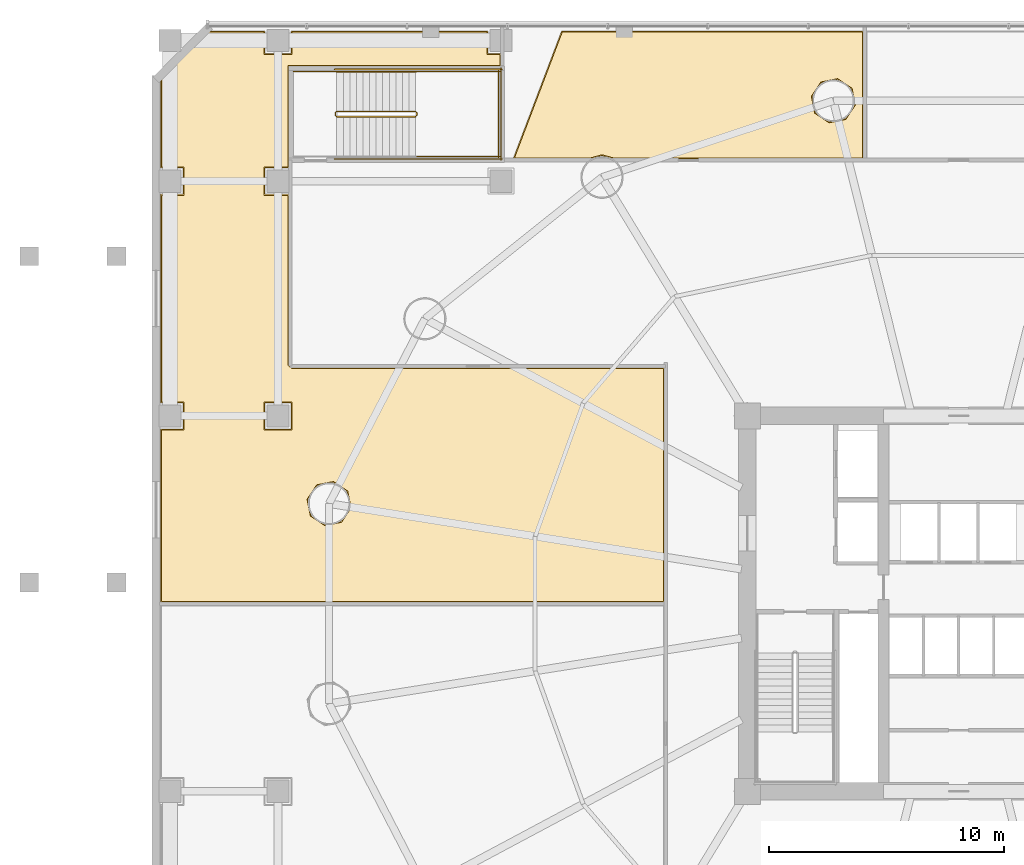
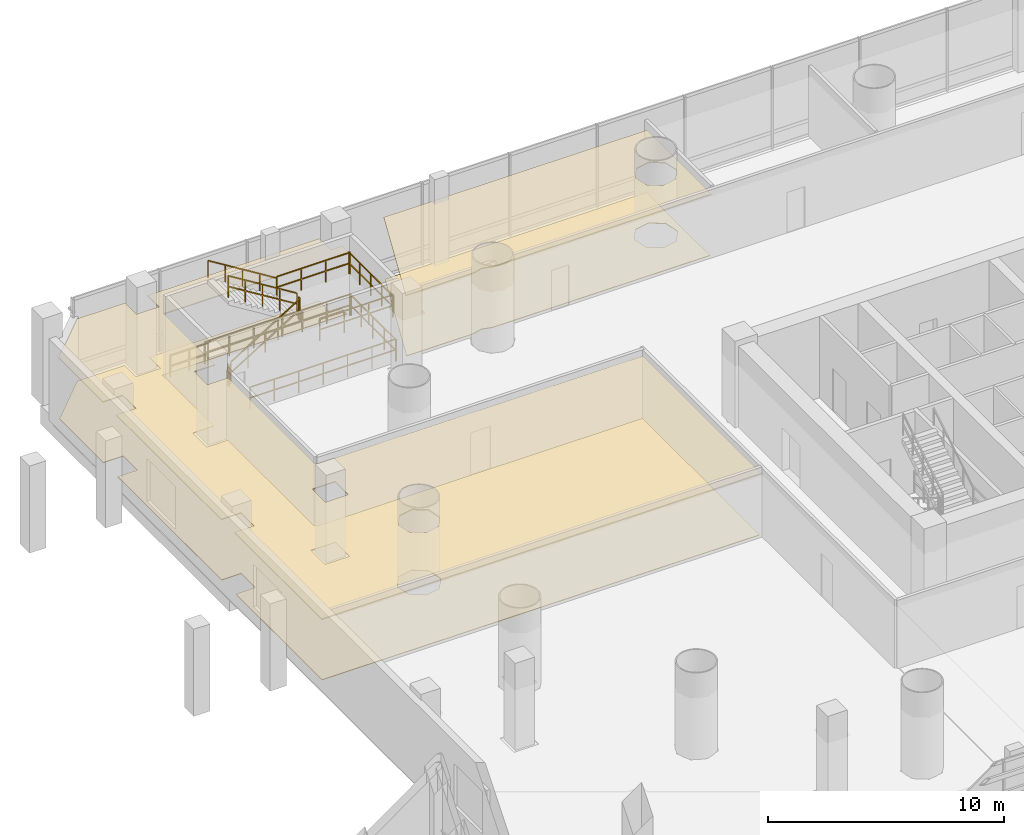
# One storey, part 31 of 36: 12 railings, 4 coverings.
"""IFC4 building model written with IfcOpenShell, lengths in metres."""

from ifc_helpers import new_model, si_unit, direction, frame, origin, origin_2d, place, context, subcontext, project, spatial, polyline, rectangle, outline, extrude, material, layer, layer_set, type_object, element, save


model = new_model("IFC4")

# Units and contexts
model_context = context("Model", 3, precision=1e-05, world=origin(), true_north=direction((-0.2419218956, 0.970295726276)))
body_context = subcontext(model_context, "Body", "Model", "MODEL_VIEW")
ifc_project = project(units=[si_unit("LENGTHUNIT", "METRE"), si_unit("AREAUNIT", "SQUARE_METRE"), si_unit("VOLUMEUNIT", "CUBIC_METRE"), si_unit("PLANEANGLEUNIT", "RADIAN"), si_unit("MASSUNIT", "GRAM", prefix="KILO")], contexts=[model_context])

# Site, building, storey
site_placement = place(None, origin())
site = spatial("IfcSite", under=ifc_project, at=site_placement, CompositionType="ELEMENT")
building_placement = place(site_placement, origin())
building = spatial("IfcBuilding", under=site, at=building_placement, Name="Cobrevalo Terracotta Tower", CompositionType="ELEMENT")
storey_placement = place(building_placement, frame((0.0, 0.0, 5.39990234375)))
storey = spatial("IfcBuildingStorey", under=building, at=storey_placement, Name="L01", CompositionType="ELEMENT", Elevation=5.39990234375)

# Coverings
ifc_material_1 = material(Name="Honed terracotta and granite tile", Category="masonry")
ifc_layer_1 = layer(ifc_material_1, 0.034912109375)
ifc_layer_set_1 = layer_set([ifc_layer_1], Name="Honed terracotta and granite tile")
covering_type_1 = type_object("IfcCoveringType", Name="Honed Terracotta & Granite Interior Flooring 35", PredefinedType="FLOORING", material=ifc_layer_set_1)
covering_1_placement = place(storey_placement, origin())
element("IfcCovering", 1, at=covering_1_placement, inside=storey, type_object=covering_type_1, Name="L01 Coastal Brasserie Dining floor finish", PredefinedType="FLOORING", context=body_context, shape_type="SweptSolid", body=[
    extrude(outline(polyline([(6.078369140625, 51.159912109375), (8.39990234375, 51.159912109375), (8.39990234375, 50.199951171875), (9.60009765625, 50.199951171875), (9.60009765625, 51.159912109375), (17.89990234375, 51.159912109375), (17.89990234375, 50.199951171875), (18.449951171875, 50.199951171875), (18.449951171875, 49.739990234375), (9.429931640625, 49.739990234375), (9.420166015625, 45.39990234375), (8.39990234375, 45.39990234375), (8.39990234375, 44.199951171875), (9.421142578125, 44.199951171875), (9.427001953125, 36.947509765625), (9.5986328125, 36.820068359375), (25.419921875, 36.820068359375), (25.419921875, 26.89990234375), (4.0400390625, 26.89990234375), (4.0400390625, 34.199951171875), (5.0, 34.199951171875), (5.0, 35.39990234375), (4.0400390625, 35.39990234375), (4.0400390625, 44.199951171875), (5.0, 44.199951171875), (5.0, 45.39990234375), (4.0400390625, 45.39990234375), (4.0400390625, 49.121826171875), (6.078369140625, 51.159912109375)]), holes=[polyline([(11.708984375, 30.264404296875), (12.1171875, 30.87548828125), (11.973876953125, 31.59619140625), (11.36279296875, 32.00439453125), (10.64208984375, 31.861083984375), (10.23388671875, 31.25), (10.377197265625, 30.529296875), (10.98828125, 30.12109375), (11.708984375, 30.264404296875)]), polyline([(8.39990234375, 35.39990234375), (8.39990234375, 34.199951171875), (9.60009765625, 34.199951171875), (9.60009765625, 35.39990234375), (8.39990234375, 35.39990234375)])]), origin(), (0.0, 0.0, 1.0), 0.030029296875),
])
covering_2_placement = place(storey_placement, origin())
element("IfcCovering", 2, at=covering_2_placement, inside=storey, type_object=covering_type_1, Name="L01 Public Restrooms floor finish", PredefinedType="FLOORING", context=body_context, shape_type="SweptSolid", body=[
    extrude(outline(polyline([(33.89990234375, 45.800048828125), (23.274658203125, 45.800048828125), (22.80517578125, 45.927734375), (22.33544921875, 45.800048828125), (19.0791015625, 45.800048828125), (21.11376953125, 51.159912109375), (33.89990234375, 51.159912109375), (33.89990234375, 45.800048828125)]), holes=[polyline([(33.19775390625, 47.431884765625), (33.60595703125, 48.04296875), (33.462646484375, 48.763671875), (32.8515625, 49.171875), (32.130859375, 49.028564453125), (31.72265625, 48.41748046875), (31.865966796875, 47.69677734375), (32.47705078125, 47.28857421875), (33.19775390625, 47.431884765625)])]), origin(), (0.0, 0.0, 1.0), 0.030029296875),
])
ifc_material_2 = material(Name="Moisture-resistant mineral fibre ceiling", Category="gypsum")
ifc_layer_2 = layer(ifc_material_2, 0.0400390625)
ifc_layer_set_2 = layer_set([ifc_layer_2], Name="Moisture-resistant mineral fibre ceiling")
covering_type_2 = type_object("IfcCoveringType", Name="Moisture-Resistant Wet-Room Ceiling 40", PredefinedType="CEILING", material=ifc_layer_set_2)
covering_3_placement = place(storey_placement, frame((0.0, 0.0, 3.16015625)))
element("IfcCovering", 3, at=covering_3_placement, inside=storey, type_object=covering_type_2, Name="L01 Public Restrooms acoustic ceiling", PredefinedType="CEILING", context=body_context, shape_type="SweptSolid", body=[
    extrude(outline(polyline([(33.945068359375, 45.7548828125), (23.263427734375, 45.7548828125), (22.80517578125, 45.882568359375), (22.346923828125, 45.7548828125), (19.013671875, 45.7548828125), (21.082763671875, 51.205078125), (33.945068359375, 51.205078125), (33.945068359375, 45.7548828125)]), holes=[polyline([(33.172607421875, 47.469482421875), (33.5615234375, 48.0517578125), (33.425048828125, 48.738525390625), (32.8427734375, 49.12744140625), (32.156005859375, 48.990966796875), (31.76708984375, 48.40869140625), (31.903564453125, 47.721923828125), (32.48583984375, 47.332763671875), (33.172607421875, 47.469482421875)])]), origin(), (0.0, 0.0, 1.0), 0.050048828125),
])
ifc_material_3 = material(Name="Acoustic perforated gypsum ceiling", Category="gypsum")
ifc_layer_3 = layer(ifc_material_3, 0.050048828125)
ifc_layer_set_3 = layer_set([ifc_layer_3], Name="Acoustic perforated gypsum ceiling")
covering_type_3 = type_object("IfcCoveringType", Name="Perforated Acoustic Gypsum Ceiling 50", PredefinedType="CEILING", material=ifc_layer_set_3)
covering_4_placement = place(storey_placement, frame((0.0, 0.0, 3.16015625)))
element("IfcCovering", 4, at=covering_4_placement, inside=storey, type_object=covering_type_3, Name="L01 Coastal Brasserie Dining acoustic ceiling", PredefinedType="CEILING", context=body_context, shape_type="SweptSolid", body=[
    extrude(outline(polyline([(6.0595703125, 51.205078125), (8.445068359375, 51.205078125), (8.445068359375, 50.2451171875), (9.554931640625, 50.2451171875), (9.554931640625, 51.205078125), (17.945068359375, 51.205078125), (17.945068359375, 50.2451171875), (18.4951171875, 50.2451171875), (18.4951171875, 49.695068359375), (9.47509765625, 49.695068359375), (9.46533203125, 45.35498046875), (8.445068359375, 45.35498046875), (8.445068359375, 44.2451171875), (9.466064453125, 44.2451171875), (9.471923828125, 36.961181640625), (9.601806640625, 36.864990234375), (25.465087890625, 36.864990234375), (25.465087890625, 26.85498046875), (3.9951171875, 26.85498046875), (3.9951171875, 34.2451171875), (4.955078125, 34.2451171875), (4.955078125, 35.35498046875), (3.9951171875, 35.35498046875), (3.9951171875, 44.2451171875), (4.955078125, 44.2451171875), (4.955078125, 45.35498046875), (3.9951171875, 45.35498046875), (3.9951171875, 49.140380859375), (6.0595703125, 51.205078125)]), holes=[polyline([(11.683837890625, 30.302001953125), (12.07275390625, 30.88427734375), (11.936279296875, 31.571044921875), (11.35400390625, 31.9599609375), (10.667236328125, 31.823486328125), (10.2783203125, 31.2412109375), (10.414794921875, 30.554443359375), (10.9970703125, 30.16552734375), (11.683837890625, 30.302001953125)]), polyline([(8.445068359375, 35.35498046875), (8.445068359375, 34.2451171875), (9.554931640625, 34.2451171875), (9.554931640625, 35.35498046875), (8.445068359375, 35.35498046875)])]), origin(), (0.0, 0.0, 1.0), 0.050048828125),
])

# Railings
ifc_material_4 = material(Name="Brushed stainless steel", Category="steel")
railing_type_1 = type_object("IfcRailingType", Name="Stainless Steel Stair Handrail 900", PredefinedType="HANDRAIL", material=ifc_material_4)
railing_1_placement = place(storey_placement, frame((14.860107421875, 49.469970703125, 2.423095703125)))
element("IfcRailing", 5, at=railing_1_placement, inside=storey, type_object=railing_type_1, Name="L01 ST-P1 stair handrail 2", PredefinedType="HANDRAIL", context=body_context, shape_type="SweptSolid", body=[
    extrude(rectangle(XDim=0.048095703125, YDim=0.048095703125, at=origin_2d()), frame((0.0, 0.0, 0.8759765625), z_axis=(-0.850623216509, 0.0, 0.525775754039), x_axis=(0.0, -1.0, 0.0)), (0.0, 0.0, 1.0), 3.9501953125),
    extrude(rectangle(XDim=0.0419921875, YDim=0.0419921875, at=origin_2d()), origin(), (0.0, 0.0, 1.0), 0.851806640625),
    extrude(rectangle(XDim=0.0419921875, YDim=0.0419921875, at=origin_2d()), frame((-0.840087890625, 0.0, 0.519287109375)), (0.0, 0.0, 1.0), 0.851806640625),
    extrude(rectangle(XDim=0.0419921875, YDim=0.0419921875, at=origin_2d()), frame((-1.68017578125, 0.0, 1.03857421875)), (0.0, 0.0, 1.0), 0.851806640625),
    extrude(rectangle(XDim=0.0419921875, YDim=0.0419921875, at=origin_2d()), frame((-2.52001953125, 0.0, 1.5576171875)), (0.0, 0.0, 1.0), 0.851806640625),
    extrude(rectangle(XDim=0.0419921875, YDim=0.0419921875, at=origin_2d()), frame((-3.360107421875, 0.0, 2.076904296875)), (0.0, 0.0, 1.0), 0.851806640625),
])
ifc_material_5 = material(Name="Painted galvanized steel", Category="steel")
railing_type_2 = type_object("IfcRailingType", Name="Stair Well Guard Balustrade 1150", PredefinedType="GUARDRAIL", material=ifc_material_5)
railing_2_placement = place(storey_placement, frame((11.5, 47.550048828125, 0.173095703125)))
element("IfcRailing", 6, at=railing_2_placement, inside=storey, type_object=railing_type_2, Name="L01 ST-P1 stair guard 1", PredefinedType="GUARDRAIL", context=body_context, shape_type="SweptSolid", body=[
    extrude(rectangle(XDim=0.048095703125, YDim=0.048095703125, at=origin_2d()), frame((0.0, 0.0, 1.1259765625), z_axis=(0.850623216509, 0.0, 0.525775754039), x_axis=(0.0, 1.0, 0.0)), (0.0, 0.0, 1.0), 3.9501953125),
    extrude(rectangle(XDim=0.048095703125, YDim=0.048095703125, at=origin_2d()), frame((0.0, 0.0, 0.574951171875), z_axis=(0.850623216509, 0.0, 0.525775754039), x_axis=(0.0, 1.0, 0.0)), (0.0, 0.0, 1.0), 3.9501953125),
    extrude(rectangle(XDim=0.0419921875, YDim=0.0419921875, at=origin_2d()), origin(), (0.0, 0.0, 1.0), 1.101806640625),
    extrude(rectangle(XDim=0.0419921875, YDim=0.0419921875, at=origin_2d()), frame((0.840087890625, 0.0, 0.519287109375)), (0.0, 0.0, 1.0), 1.101806640625),
    extrude(rectangle(XDim=0.0419921875, YDim=0.0419921875, at=origin_2d()), frame((1.68017578125, 0.0, 1.03857421875)), (0.0, 0.0, 1.0), 1.101806640625),
    extrude(rectangle(XDim=0.0419921875, YDim=0.0419921875, at=origin_2d()), frame((2.52001953125, 0.0, 1.5576171875)), (0.0, 0.0, 1.0), 1.101806640625),
    extrude(rectangle(XDim=0.0419921875, YDim=0.0419921875, at=origin_2d()), frame((3.360107421875, 0.0, 2.076904296875)), (0.0, 0.0, 1.0), 1.101806640625),
])
railing_3_placement = place(storey_placement, frame((14.909912109375, 47.60009765625, 2.25)))
element("IfcRailing", 7, at=railing_3_placement, inside=storey, type_object=railing_type_2, Name="L01 ST-P1 stair guard 2", PredefinedType="GUARDRAIL", context=body_context, shape_type="SweptSolid", body=[
    extrude(rectangle(XDim=0.048095703125, YDim=0.048095703125, at=origin_2d()), frame((0.0, 0.0, 1.1259765625), z_axis=(0.0, 1.0, 0.0), x_axis=(-1.0, 0.0, 0.0)), (0.0, 0.0, 1.0), 0.119873046875),
    extrude(rectangle(XDim=0.048095703125, YDim=0.048095703125, at=origin_2d()), frame((0.0, 0.0, 0.574951171875), z_axis=(0.0, 1.0, 0.0), x_axis=(-1.0, 0.0, 0.0)), (0.0, 0.0, 1.0), 0.119873046875),
    extrude(rectangle(XDim=0.0419921875, YDim=0.0419921875, at=origin_2d()), origin(), (0.0, 0.0, 1.0), 1.101806640625),
    extrude(rectangle(XDim=0.0419921875, YDim=0.0419921875, at=origin_2d()), frame((0.0, 0.119873046875, 0.0)), (0.0, 0.0, 1.0), 1.101806640625),
])
for number, where, name in (
    (8, (14.860107421875, 45.85009765625, 2.25), "L01 ST-P1 stair guard 3"),
    (9, (14.860107421875, 49.469970703125, 2.25), "L01 ST-P1 stair guard 4"),
):
    element("IfcRailing", number, at=place(storey_placement, frame(where)), inside=storey, type_object=railing_type_2, Name=name, PredefinedType="GUARDRAIL", context=body_context, shape_type="SweptSolid", body=[
        extrude(rectangle(XDim=0.048095703125, YDim=0.048095703125, at=origin_2d()), frame((0.0, 0.0, 1.1259765625), z_axis=(1.0, 0.0, 0.0), x_axis=(0.0, 1.0, 0.0)), (0.0, 0.0, 1.0), 3.58984375),
        extrude(rectangle(XDim=0.048095703125, YDim=0.048095703125, at=origin_2d()), frame((0.0, 0.0, 0.574951171875), z_axis=(1.0, 0.0, 0.0), x_axis=(0.0, 1.0, 0.0)), (0.0, 0.0, 1.0), 3.58984375),
        extrude(rectangle(XDim=0.0419921875, YDim=0.0419921875, at=origin_2d()), origin(), (0.0, 0.0, 1.0), 1.101806640625),
        extrude(rectangle(XDim=0.0419921875, YDim=0.0419921875, at=origin_2d()), frame((1.196533203125, 0.0, 0.0)), (0.0, 0.0, 1.0), 1.101806640625),
        extrude(rectangle(XDim=0.0419921875, YDim=0.0419921875, at=origin_2d()), frame((2.393310546875, 0.0, 0.0)), (0.0, 0.0, 1.0), 1.101806640625),
        extrude(rectangle(XDim=0.0419921875, YDim=0.0419921875, at=origin_2d()), frame((3.58984375, 0.0, 0.0)), (0.0, 0.0, 1.0), 1.101806640625),
    ])
railing_4_placement = place(storey_placement, frame((18.39990234375, 45.800048828125, 2.25)))
element("IfcRailing", 10, at=railing_4_placement, inside=storey, type_object=railing_type_2, Name="L01 ST-P1 stair guard 5", PredefinedType="GUARDRAIL", context=body_context, shape_type="SweptSolid", body=[
    extrude(rectangle(XDim=0.048095703125, YDim=0.048095703125, at=origin_2d()), frame((0.0, 0.0, 1.1259765625), z_axis=(0.0, 1.0, 0.0), x_axis=(-1.0, 0.0, 0.0)), (0.0, 0.0, 1.0), 3.719970703125),
    extrude(rectangle(XDim=0.048095703125, YDim=0.048095703125, at=origin_2d()), frame((0.0, 0.0, 0.574951171875), z_axis=(0.0, 1.0, 0.0), x_axis=(-1.0, 0.0, 0.0)), (0.0, 0.0, 1.0), 3.719970703125),
    extrude(rectangle(XDim=0.0419921875, YDim=0.0419921875, at=origin_2d()), origin(), (0.0, 0.0, 1.0), 1.101806640625),
    extrude(rectangle(XDim=0.0419921875, YDim=0.0419921875, at=origin_2d()), frame((0.0, 0.929931640625, 0.0)), (0.0, 0.0, 1.0), 1.101806640625),
    extrude(rectangle(XDim=0.0419921875, YDim=0.0419921875, at=origin_2d()), frame((0.0, 1.85986328125, 0.0)), (0.0, 0.0, 1.0), 1.101806640625),
    extrude(rectangle(XDim=0.0419921875, YDim=0.0419921875, at=origin_2d()), frame((0.0, 2.7900390625, 0.0)), (0.0, 0.0, 1.0), 1.101806640625),
    extrude(rectangle(XDim=0.0419921875, YDim=0.0419921875, at=origin_2d()), frame((0.0, 3.719970703125, 0.0)), (0.0, 0.0, 1.0), 1.101806640625),
])
railing_5_placement = place(storey_placement, frame((14.860107421875, 47.77001953125, 2.423095703125)))
element("IfcRailing", 11, at=railing_5_placement, inside=storey, type_object=railing_type_2, Name="L01 ST-P1 stair guard 6", PredefinedType="GUARDRAIL", context=body_context, shape_type="SweptSolid", body=[
    extrude(rectangle(XDim=0.048095703125, YDim=0.048095703125, at=origin_2d()), frame((0.0, 0.0, 1.1259765625), z_axis=(-0.850623216509, 0.0, 0.525775754039), x_axis=(0.0, -1.0, 0.0)), (0.0, 0.0, 1.0), 3.9501953125),
    extrude(rectangle(XDim=0.048095703125, YDim=0.048095703125, at=origin_2d()), frame((0.0, 0.0, 0.574951171875), z_axis=(-0.850623216509, 0.0, 0.525775754039), x_axis=(0.0, -1.0, 0.0)), (0.0, 0.0, 1.0), 3.9501953125),
    extrude(rectangle(XDim=0.0419921875, YDim=0.0419921875, at=origin_2d()), origin(), (0.0, 0.0, 1.0), 1.101806640625),
    extrude(rectangle(XDim=0.0419921875, YDim=0.0419921875, at=origin_2d()), frame((-0.840087890625, 0.0, 0.519287109375)), (0.0, 0.0, 1.0), 1.101806640625),
    extrude(rectangle(XDim=0.0419921875, YDim=0.0419921875, at=origin_2d()), frame((-1.68017578125, 0.0, 1.03857421875)), (0.0, 0.0, 1.0), 1.101806640625),
    extrude(rectangle(XDim=0.0419921875, YDim=0.0419921875, at=origin_2d()), frame((-2.52001953125, 0.0, 1.5576171875)), (0.0, 0.0, 1.0), 1.101806640625),
    extrude(rectangle(XDim=0.0419921875, YDim=0.0419921875, at=origin_2d()), frame((-3.360107421875, 0.0, 2.076904296875)), (0.0, 0.0, 1.0), 1.101806640625),
])
railing_6_placement = place(storey_placement, frame((11.449951171875, 47.60009765625, 0.0)))
element("IfcRailing", 12, at=railing_6_placement, inside=storey, type_object=railing_type_2, Name="L01 ST-P1 stair guard 7", PredefinedType="GUARDRAIL", context=body_context, shape_type="SweptSolid", body=[
    extrude(rectangle(XDim=0.048095703125, YDim=0.048095703125, at=origin_2d()), frame((0.0, 0.0, 1.1259765625), z_axis=(0.0, 1.0, 0.0), x_axis=(-1.0, 0.0, 0.0)), (0.0, 0.0, 1.0), 0.119873046875),
    extrude(rectangle(XDim=0.048095703125, YDim=0.048095703125, at=origin_2d()), frame((0.0, 0.0, 0.574951171875), z_axis=(0.0, 1.0, 0.0), x_axis=(-1.0, 0.0, 0.0)), (0.0, 0.0, 1.0), 0.119873046875),
    extrude(rectangle(XDim=0.0419921875, YDim=0.0419921875, at=origin_2d()), origin(), (0.0, 0.0, 1.0), 1.101806640625),
    extrude(rectangle(XDim=0.0419921875, YDim=0.0419921875, at=origin_2d()), frame((0.0, 0.119873046875, 0.0)), (0.0, 0.0, 1.0), 1.101806640625),
])
railing_7_placement = place(storey_placement, frame((9.64990234375, 49.469970703125, 0.0)))
element("IfcRailing", 13, at=railing_7_placement, inside=storey, type_object=railing_type_2, Name="L01 ST-P1 stair guard 9", PredefinedType="GUARDRAIL", context=body_context, shape_type="SweptSolid", body=[
    extrude(rectangle(XDim=0.048095703125, YDim=0.048095703125, at=origin_2d()), frame((0.0, 0.0, 1.1259765625), z_axis=(1.0, 0.0, 0.0), x_axis=(0.0, 1.0, 0.0)), (0.0, 0.0, 1.0), 1.85009765625),
    extrude(rectangle(XDim=0.048095703125, YDim=0.048095703125, at=origin_2d()), frame((0.0, 0.0, 0.574951171875), z_axis=(1.0, 0.0, 0.0), x_axis=(0.0, 1.0, 0.0)), (0.0, 0.0, 1.0), 1.85009765625),
    extrude(rectangle(XDim=0.0419921875, YDim=0.0419921875, at=origin_2d()), origin(), (0.0, 0.0, 1.0), 1.101806640625),
    extrude(rectangle(XDim=0.0419921875, YDim=0.0419921875, at=origin_2d()), frame((0.925048828125, 0.0, 0.0)), (0.0, 0.0, 1.0), 1.101806640625),
    extrude(rectangle(XDim=0.0419921875, YDim=0.0419921875, at=origin_2d()), frame((1.85009765625, 0.0, 0.0)), (0.0, 0.0, 1.0), 1.101806640625),
])
for number, where, name in (
    (14, (11.39990234375, 45.75, 0.0), "L01 ST-P1 stair guard 10"),
    (15, (11.39990234375, 49.570068359375, 0.0), "L01 ST-P1 stair guard 11"),
):
    element("IfcRailing", number, at=place(storey_placement, frame(where)), inside=storey, type_object=railing_type_2, Name=name, PredefinedType="GUARDRAIL", context=body_context, shape_type="SweptSolid", body=[
        extrude(rectangle(XDim=0.048095703125, YDim=0.048095703125, at=origin_2d()), frame((0.0, 0.0, 1.1259765625), z_axis=(1.0, 0.0, 0.0), x_axis=(0.0, 1.0, 0.0)), (0.0, 0.0, 1.0), 7.150146484375),
        extrude(rectangle(XDim=0.048095703125, YDim=0.048095703125, at=origin_2d()), frame((0.0, 0.0, 0.574951171875), z_axis=(1.0, 0.0, 0.0), x_axis=(0.0, 1.0, 0.0)), (0.0, 0.0, 1.0), 7.150146484375),
        extrude(rectangle(XDim=0.0419921875, YDim=0.0419921875, at=origin_2d()), origin(), (0.0, 0.0, 1.0), 1.101806640625),
        extrude(rectangle(XDim=0.0419921875, YDim=0.0419921875, at=origin_2d()), frame((1.191650390625, 0.0, 0.0)), (0.0, 0.0, 1.0), 1.101806640625),
        extrude(rectangle(XDim=0.0419921875, YDim=0.0419921875, at=origin_2d()), frame((2.38330078125, 0.0, 0.0)), (0.0, 0.0, 1.0), 1.101806640625),
        extrude(rectangle(XDim=0.0419921875, YDim=0.0419921875, at=origin_2d()), frame((3.5751953125, 0.0, 0.0)), (0.0, 0.0, 1.0), 1.101806640625),
        extrude(rectangle(XDim=0.0419921875, YDim=0.0419921875, at=origin_2d()), frame((4.766845703125, 0.0, 0.0)), (0.0, 0.0, 1.0), 1.101806640625),
        extrude(rectangle(XDim=0.0419921875, YDim=0.0419921875, at=origin_2d()), frame((5.95849609375, 0.0, 0.0)), (0.0, 0.0, 1.0), 1.101806640625),
        extrude(rectangle(XDim=0.0419921875, YDim=0.0419921875, at=origin_2d()), frame((7.150146484375, 0.0, 0.0)), (0.0, 0.0, 1.0), 1.101806640625),
    ])
railing_8_placement = place(storey_placement, frame((18.5, 45.699951171875, 0.0)))
element("IfcRailing", 16, at=railing_8_placement, inside=storey, type_object=railing_type_2, Name="L01 ST-P1 stair guard 12", PredefinedType="GUARDRAIL", context=body_context, shape_type="SweptSolid", body=[
    extrude(rectangle(XDim=0.048095703125, YDim=0.048095703125, at=origin_2d()), frame((0.0, 0.0, 1.1259765625), z_axis=(0.0, 1.0, 0.0), x_axis=(-1.0, 0.0, 0.0)), (0.0, 0.0, 1.0), 3.920166015625),
    extrude(rectangle(XDim=0.048095703125, YDim=0.048095703125, at=origin_2d()), frame((0.0, 0.0, 0.574951171875), z_axis=(0.0, 1.0, 0.0), x_axis=(-1.0, 0.0, 0.0)), (0.0, 0.0, 1.0), 3.920166015625),
    extrude(rectangle(XDim=0.0419921875, YDim=0.0419921875, at=origin_2d()), origin(), (0.0, 0.0, 1.0), 1.101806640625),
    extrude(rectangle(XDim=0.0419921875, YDim=0.0419921875, at=origin_2d()), frame((0.0, 0.97998046875, 0.0)), (0.0, 0.0, 1.0), 1.101806640625),
    extrude(rectangle(XDim=0.0419921875, YDim=0.0419921875, at=origin_2d()), frame((0.0, 1.9599609375, 0.0)), (0.0, 0.0, 1.0), 1.101806640625),
    extrude(rectangle(XDim=0.0419921875, YDim=0.0419921875, at=origin_2d()), frame((0.0, 2.940185546875, 0.0)), (0.0, 0.0, 1.0), 1.101806640625),
    extrude(rectangle(XDim=0.0419921875, YDim=0.0419921875, at=origin_2d()), frame((0.0, 3.920166015625, 0.0)), (0.0, 0.0, 1.0), 1.101806640625),
])

save(model, "model.ifc")
